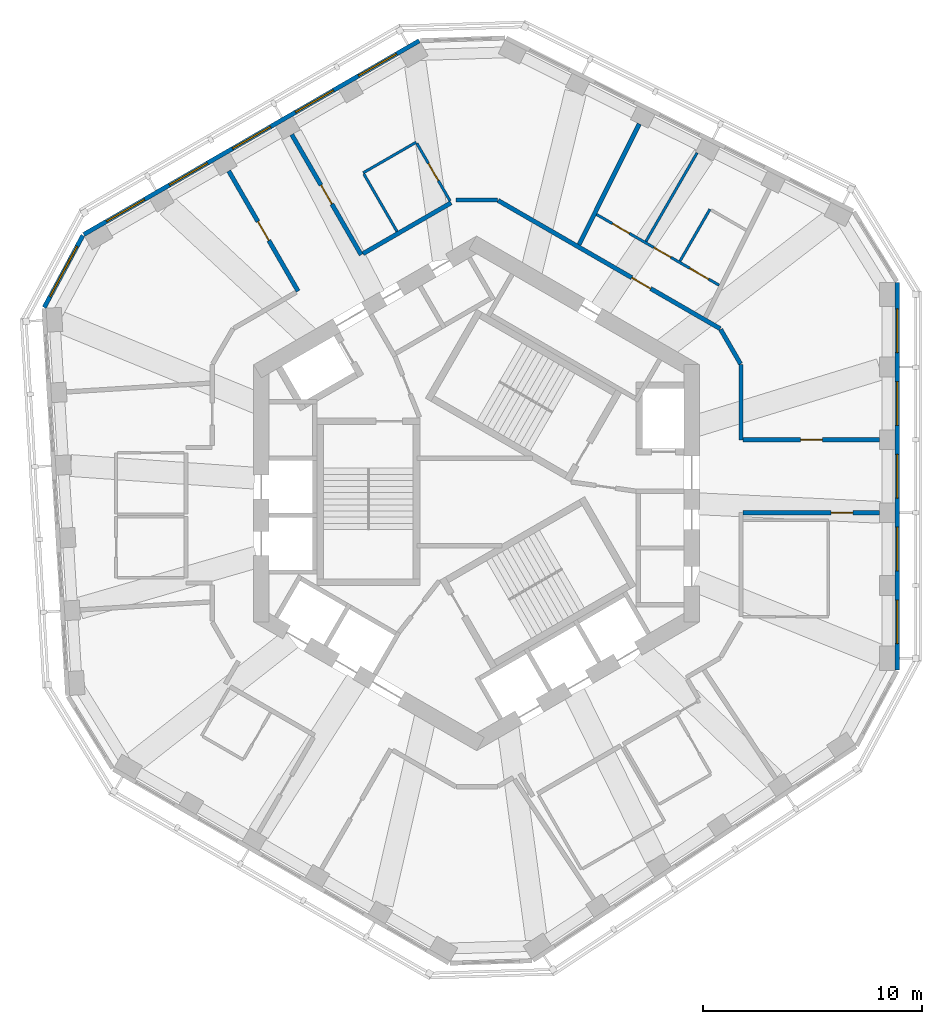
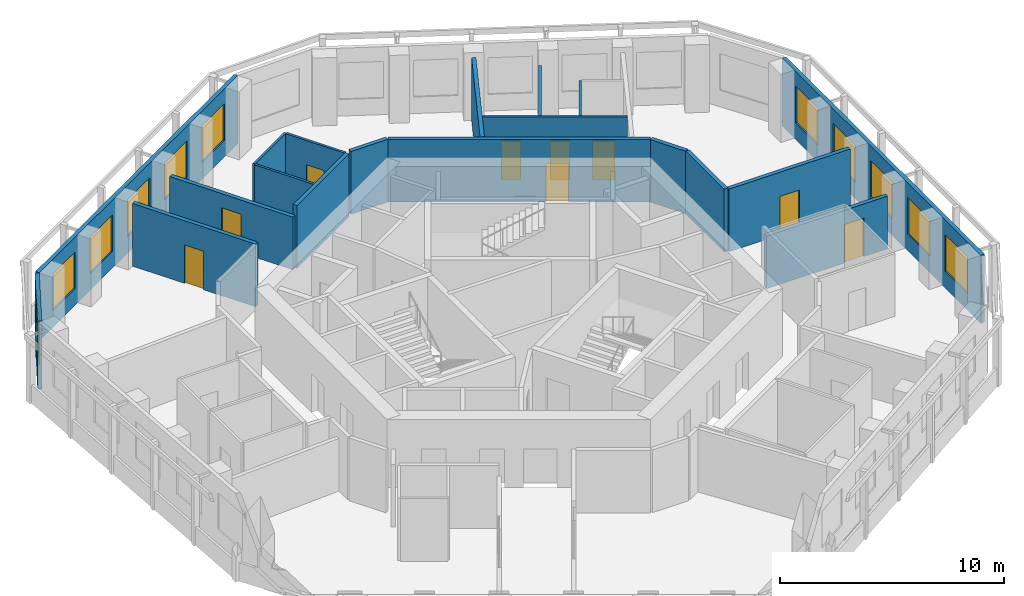
# One storey, part 7 of 11: 19 walls, 11 windows, 9 doors, 20 openings.
"""IFC4 building model written with IfcOpenShell, lengths in metres."""

from ifc_helpers import new_model, si_unit, direction, frame, frame_2d, origin, place, context, subcontext, project, spatial, rectangle, extrude, material, layer, layer_set, type_object, element, fill, save


model = new_model("IFC4")

# Units and contexts
model_context = context("Model", 3, precision=1e-05, world=origin(), true_north=direction((0.0, 1.0)))
body_context = subcontext(model_context, "Body", "Model", "MODEL_VIEW")
ifc_project = project(units=[si_unit("LENGTHUNIT", "METRE"), si_unit("AREAUNIT", "SQUARE_METRE"), si_unit("VOLUMEUNIT", "CUBIC_METRE"), si_unit("PLANEANGLEUNIT", "RADIAN"), si_unit("MASSUNIT", "GRAM", prefix="KILO")], contexts=[model_context])

# Site, building, storey
site_placement = place(None, origin())
site = spatial("IfcSite", under=ifc_project, at=site_placement, CompositionType="ELEMENT")
building_placement = place(site_placement, origin())
building = spatial("IfcBuilding", under=site, at=building_placement, Name="Vanh Sen Convention Tower", CompositionType="ELEMENT")
storey_placement = place(building_placement, frame((0.0, 0.0, 270.89990234375)))
storey = spatial("IfcBuildingStorey", under=building, at=storey_placement, Name="L67", CompositionType="ELEMENT", Elevation=270.89990234375)

# Walls
ifc_material_1 = material(Name="Moisture-resistant gypsum board on steel studs", Category="steel")
ifc_layer_1 = layer(ifc_material_1, 0.1201171875)
ifc_layer_set_1 = layer_set([ifc_layer_1], Name="Moisture-resistant gypsum board on steel studs")
wall_type_1 = type_object("IfcWallType", Name="Bathroom partition 120", PredefinedType="PARTITIONING", material=ifc_layer_set_1)
wall_1_placement = place(storey_placement, frame((-5.19140625, 14.669677734375, 0.0), z_axis=(0.0, 0.0, 1.0), x_axis=(0.866034573852, 0.49998411664, 0.0)))
element("IfcWall", 1, at=wall_1_placement, inside=storey, type_object=wall_type_1, Name="Bathroom partition 120", PredefinedType="PARTITIONING", context=body_context, shape_type="SweptSolid", body=[
    extrude(rectangle(XDim=2.7998046875, YDim=0.1201171875, at=frame_2d((1.39990234375, 0.0))), origin(), (0.0, 0.0, 1.0), 3.420166015625),
])
wall_2_placement = place(storey_placement, frame((-3.641357421875, 11.985107421875, 0.0), z_axis=(0.0, 0.0, 1.0), x_axis=(-0.500026023896, 0.86601037836, 0.0)))
element("IfcWall", 2, at=wall_2_placement, inside=storey, type_object=wall_type_1, Name="Bathroom partition 120", PredefinedType="PARTITIONING", context=body_context, shape_type="SweptSolid", body=[
    extrude(rectangle(XDim=3.039794921875, YDim=0.1201171875, at=frame_2d((1.52001953125, 0.0))), origin(), (0.0, 0.0, 1.0), 3.420166015625),
])

# Wall, opening, door
wall_3_placement = place(storey_placement, frame((-2.736572265625, 16.017578125, 0.0), z_axis=(0.0, 0.0, 1.0), x_axis=(0.500026023896, -0.86601037836, 0.0)))
wall_3 = element("IfcWall", 3, at=wall_3_placement, inside=storey, type_object=wall_type_1, Name="Bathroom partition 120", PredefinedType="PARTITIONING", context=body_context, shape_type="SweptSolid", body=[
    extrude(rectangle(XDim=3.039794921875, YDim=0.1201171875, at=frame_2d((1.52001953125, 0.0))), origin(), (0.0, 0.0, 1.0), 3.420166015625),
])
opening_1_placement = place(wall_3_placement, frame((1.06982421875, 0.0, 0.0)))
opening_1 = element("IfcOpeningElement", 4, at=opening_1_placement, cuts=wall_3, Name="Opening D67107", PredefinedType="OPENING", context=body_context, shape_type="SweptSolid", body=[
    extrude(rectangle(XDim=0.89990234375, YDim=2.10009765625, at=frame_2d((0.449951171875, 1.050048828125))), frame((0.0, 0.070068359375, 0.0), z_axis=(0.0, -1.0, 0.0), x_axis=(1.0, 0.0, 0.0)), (0.0, 0.0, 1.0), 0.14013671875),
])
ifc_material_2 = material(Name="Laminate door in steel frame", Category="steel")
door_type_1 = type_object("IfcDoorType", Name="Room internal door 900", OperationType="SINGLE_SWING_LEFT", PredefinedType="DOOR", material=ifc_material_2)
door_1_placement = place(opening_1_placement, origin())
door_1 = element("IfcDoor", 5, at=door_1_placement, inside=storey, type_object=door_type_1, Name="Internal room door D67107", OperationType="SINGLE_SWING_LEFT", OverallHeight=2.10009765625, OverallWidth=0.89990234375, PredefinedType="DOOR", context=body_context, shape_type="SweptSolid", body=[
    extrude(rectangle(XDim=0.89990234375, YDim=2.10009765625, at=frame_2d((0.449951171875, 1.050048828125))), frame((0.0, 0.02490234375, 0.0), z_axis=(0.0, -1.0, 0.0), x_axis=(1.0, 0.0, 0.0)), (0.0, 0.0, 1.0), 0.050048828125),
])
fill(opening_1, door_1)

# Walls
wall_4_placement = place(storey_placement, frame((10.0908203125, 15.5849609375, 0.0), z_axis=(0.0, 0.0, 1.0), x_axis=(-0.499969186147, -0.86604319344, 0.0)))
element("IfcWall", 6, at=wall_4_placement, inside=storey, type_object=wall_type_1, Name="Bathroom partition 120", PredefinedType="PARTITIONING", context=body_context, shape_type="SweptSolid", body=[
    extrude(rectangle(XDim=4.682373046875, YDim=0.1201171875, at=frame_2d((2.34130859375, 0.0))), origin(), (0.0, 0.0, 1.0), 2.8701171875),
])
wall_5_placement = place(storey_placement, frame((10.6787109375, 13.002685546875, 0.0), z_axis=(0.0, 0.0, 1.0), x_axis=(-0.500048966069, -0.865997131366, 0.0)))
element("IfcWall", 7, at=wall_5_placement, inside=storey, type_object=wall_type_1, Name="Bathroom partition 120", PredefinedType="PARTITIONING", context=body_context, shape_type="SweptSolid", body=[
    extrude(rectangle(XDim=2.739990234375, YDim=0.1201171875, at=frame_2d((1.3701171875, 0.0))), origin(), (0.0, 0.0, 1.0), 3.420166015625),
])

# Wall, openings, doors
wall_6_placement = place(storey_placement, frame((11.097412109375, 9.52783203125, 0.0), z_axis=(0.0, 0.0, 1.0), x_axis=(-0.866039938485, 0.499974824316, 0.0)))
wall_6 = element("IfcWall", 8, at=wall_6_placement, inside=storey, type_object=wall_type_1, Name="Bathroom partition 120", PredefinedType="PARTITIONING", context=body_context, shape_type="SweptSolid", body=[
    extrude(rectangle(XDim=6.475830078125, YDim=0.1201171875, at=frame_2d((3.23779296875, 0.0))), origin(), (0.0, 0.0, 1.0), 3.420166015625),
])
opening_2_placement = place(wall_6_placement, frame((0.550048828125, 0.0, 0.0)))
opening_2 = element("IfcOpeningElement", 9, at=opening_2_placement, cuts=wall_6, Name="Opening D67103", PredefinedType="OPENING", context=body_context, shape_type="SweptSolid", body=[
    extrude(rectangle(XDim=1.0, YDim=2.10009765625, at=frame_2d((0.5, 1.050048828125))), frame((0.0, 0.070068359375, 0.0), z_axis=(0.0, -1.0, 0.0), x_axis=(1.0, 0.0, 0.0)), (0.0, 0.0, 1.0), 0.14013671875),
])
opening_3_placement = place(wall_6_placement, frame((2.550048828125, 0.0, 0.0)))
opening_3 = element("IfcOpeningElement", 10, at=opening_3_placement, cuts=wall_6, Name="Opening D67104", PredefinedType="OPENING", context=body_context, shape_type="SweptSolid", body=[
    extrude(rectangle(XDim=0.89990234375, YDim=2.10009765625, at=frame_2d((0.449951171875, 1.050048828125))), frame((0.0, 0.070068359375, 0.0), z_axis=(0.0, -1.0, 0.0), x_axis=(1.0, 0.0, 0.0)), (0.0, 0.0, 1.0), 0.14013671875),
])
opening_4_placement = place(wall_6_placement, frame((4.73779296875, 0.0, 0.0)))
opening_4 = element("IfcOpeningElement", 11, at=opening_4_placement, cuts=wall_6, Name="Opening D67105", PredefinedType="OPENING", context=body_context, shape_type="SweptSolid", body=[
    extrude(rectangle(XDim=0.89990234375, YDim=2.10009765625, at=frame_2d((0.449951171875, 1.050048828125))), frame((0.0, 0.070068359375, 0.0), z_axis=(0.0, -1.0, 0.0), x_axis=(1.0, 0.0, 0.0)), (0.0, 0.0, 1.0), 0.14013671875),
])
door_type_2 = type_object("IfcDoorType", Name="Accessible WC door 1000", OperationType="SINGLE_SWING_LEFT", PredefinedType="DOOR", material=ifc_material_2)
door_2_placement = place(opening_2_placement, origin())
door_2 = element("IfcDoor", 12, at=door_2_placement, inside=storey, type_object=door_type_2, Name="Accessible WC door D67103", OperationType="SINGLE_SWING_LEFT", OverallHeight=2.10009765625, OverallWidth=1.0, PredefinedType="DOOR", context=body_context, shape_type="SweptSolid", body=[
    extrude(rectangle(XDim=1.0, YDim=2.10009765625, at=frame_2d((0.5, 1.050048828125))), frame((0.0, 0.02490234375, 0.0), z_axis=(0.0, -1.0, 0.0), x_axis=(1.0, 0.0, 0.0)), (0.0, 0.0, 1.0), 0.050048828125),
])
fill(opening_2, door_2)
door_3_placement = place(opening_3_placement, origin())
door_3 = element("IfcDoor", 13, at=door_3_placement, inside=storey, type_object=door_type_1, Name="Internal room door D67104", OperationType="SINGLE_SWING_LEFT", OverallHeight=2.10009765625, OverallWidth=0.89990234375, PredefinedType="DOOR", context=body_context, shape_type="SweptSolid", body=[
    extrude(rectangle(XDim=0.89990234375, YDim=2.10009765625, at=frame_2d((0.449951171875, 1.050048828125))), frame((0.0, 0.02490234375, 0.0), z_axis=(0.0, -1.0, 0.0), x_axis=(1.0, 0.0, 0.0)), (0.0, 0.0, 1.0), 0.050048828125),
])
fill(opening_3, door_3)
door_4_placement = place(opening_4_placement, origin())
door_4 = element("IfcDoor", 14, at=door_4_placement, inside=storey, type_object=door_type_1, Name="Internal room door D67105", OperationType="SINGLE_SWING_LEFT", OverallHeight=2.10009765625, OverallWidth=0.89990234375, PredefinedType="DOOR", context=body_context, shape_type="SweptSolid", body=[
    extrude(rectangle(XDim=0.89990234375, YDim=2.10009765625, at=frame_2d((0.449951171875, 1.050048828125))), frame((0.0, 0.02490234375, 0.0), z_axis=(0.0, -1.0, 0.0), x_axis=(1.0, 0.0, 0.0)), (0.0, 0.0, 1.0), 0.050048828125),
])
fill(opening_4, door_4)

# Wall, opening, door
ifc_material_3 = material(Name="Gypsum board on steel studs with mineral wool", Category="steel")
ifc_layer_2 = layer(ifc_material_3, 0.199951171875)
ifc_layer_set_2 = layer_set([ifc_layer_2], Name="Gypsum board on steel studs with mineral wool")
wall_type_2 = type_object("IfcWallType", Name="Corridor partition wall 200", PredefinedType="PARTITIONING", material=ifc_layer_set_2)
wall_7_placement = place(storey_placement, frame((-11.34521484375, 14.754150390625, 0.0), z_axis=(0.0, 0.0, 1.0), x_axis=(0.500005339912, -0.866022320763, 0.0)))
wall_7 = element("IfcWall", 15, at=wall_7_placement, inside=storey, type_object=wall_type_2, Name="Corridor partition wall 200", PredefinedType="PARTITIONING", context=body_context, shape_type="SweptSolid", body=[
    extrude(rectangle(XDim=6.35009765625, YDim=0.199951171875, at=frame_2d((3.175048828125, 0.0))), origin(), (0.0, 0.0, 1.0), 3.420166015625),
])
opening_5_placement = place(wall_7_placement, frame((2.675048828125, 0.0, 0.0)))
opening_5 = element("IfcOpeningElement", 16, at=opening_5_placement, cuts=wall_7, Name="Opening D67108", PredefinedType="OPENING", context=body_context, shape_type="SweptSolid", body=[
    extrude(rectangle(XDim=1.0, YDim=2.10009765625, at=frame_2d((0.5, 1.050048828125))), frame((0.0, 0.10986328125, 0.0), z_axis=(0.0, -1.0, 0.0), x_axis=(1.0, 0.0, 0.0)), (0.0, 0.0, 1.0), 0.219970703125),
])
ifc_material_4 = material(Name="Timber fire door in steel frame", Category="steel")
door_type_3 = type_object("IfcDoorType", Name="Floor room door 1000", OperationType="SINGLE_SWING_LEFT", PredefinedType="DOOR", material=ifc_material_4)
door_5_placement = place(opening_5_placement, origin())
door_5 = element("IfcDoor", 17, at=door_5_placement, inside=storey, type_object=door_type_3, Name="Meeting and amenity room door D67108", OperationType="SINGLE_SWING_LEFT", OverallHeight=2.10009765625, OverallWidth=1.0, PredefinedType="DOOR", context=body_context, shape_type="SweptSolid", body=[
    extrude(rectangle(XDim=1.0, YDim=2.10009765625, at=frame_2d((0.5, 1.050048828125))), frame((0.0, 0.02490234375, 0.0), z_axis=(0.0, -1.0, 0.0), x_axis=(1.0, 0.0, 0.0)), (0.0, 0.0, 1.0), 0.050048828125),
])
fill(opening_5, door_5)

wall_8_placement = place(storey_placement, frame((-8.4599609375, 16.419921875, 0.0), z_axis=(0.0, 0.0, 1.0), x_axis=(0.500005339912, -0.866022320763, 0.0)))
wall_8 = element("IfcWall", 18, at=wall_8_placement, inside=storey, type_object=wall_type_2, Name="Corridor partition wall 200", PredefinedType="PARTITIONING", context=body_context, shape_type="SweptSolid", body=[
    extrude(rectangle(XDim=6.35009765625, YDim=0.199951171875, at=frame_2d((3.175048828125, 0.0))), origin(), (0.0, 0.0, 1.0), 2.8701171875),
])
opening_6_placement = place(wall_8_placement, frame((2.675048828125, 0.0, 0.0)))
opening_6 = element("IfcOpeningElement", 19, at=opening_6_placement, cuts=wall_8, Name="Opening D67106", PredefinedType="OPENING", context=body_context, shape_type="SweptSolid", body=[
    extrude(rectangle(XDim=1.0, YDim=2.10009765625, at=frame_2d((0.5, 1.050048828125))), frame((0.0, 0.10986328125, 0.0), z_axis=(0.0, -1.0, 0.0), x_axis=(1.0, 0.0, 0.0)), (0.0, 0.0, 1.0), 0.219970703125),
])
ifc_material_5 = material(Name="Glazed fire door in steel frame", Category="steel")
door_type_4 = type_object("IfcDoorType", Name="Tenant entrance door 1000", OperationType="SINGLE_SWING_LEFT", PredefinedType="DOOR", material=ifc_material_5)
door_6_placement = place(opening_6_placement, origin())
door_6 = element("IfcDoor", 20, at=door_6_placement, inside=storey, type_object=door_type_4, Name="Tenant suite entrance door D67106", OperationType="SINGLE_SWING_LEFT", OverallHeight=2.10009765625, OverallWidth=1.0, PredefinedType="DOOR", context=body_context, shape_type="SweptSolid", body=[
    extrude(rectangle(XDim=1.0, YDim=2.10009765625, at=frame_2d((0.5, 1.050048828125))), frame((0.0, 0.02490234375, 0.0), z_axis=(0.0, -1.0, 0.0), x_axis=(1.0, 0.0, 0.0)), (0.0, 0.0, 1.0), 0.050048828125),
])
fill(opening_6, door_6)

# Walls
wall_9_placement = place(storey_placement, frame((-1.16650390625, 13.29833984375, 0.0), z_axis=(0.0, 0.0, 1.0), x_axis=(-0.866033631887, -0.499985748238, 0.0)))
element("IfcWall", 21, at=wall_9_placement, inside=storey, type_object=wall_type_2, Name="Corridor partition wall 200", PredefinedType="PARTITIONING", context=body_context, shape_type="SweptSolid", body=[
    extrude(rectangle(XDim=4.655517578125, YDim=0.199951171875, at=frame_2d((2.32763671875, 0.0))), origin(), (0.0, 0.0, 1.0), 3.420166015625),
])
wall_10_placement = place(storey_placement, frame((0.949951171875, 13.42333984375, 0.0), z_axis=(0.0, 0.0, 1.0), x_axis=(-1.0, 0.0, 0.0)))
element("IfcWall", 22, at=wall_10_placement, inside=storey, type_object=wall_type_2, Name="Corridor partition wall 200", PredefinedType="PARTITIONING", context=body_context, shape_type="SweptSolid", body=[
    extrude(rectangle(XDim=1.89990234375, YDim=0.199951171875, at=frame_2d((0.949951171875, 0.0))), origin(), (0.0, 0.0, 1.0), 3.420166015625),
])

# Wall, opening, door
wall_11_placement = place(storey_placement, frame((11.14990234375, 7.534423828125, 0.0), z_axis=(0.0, 0.0, 1.0), x_axis=(-0.866026603062, 0.499997922785, 0.0)))
wall_11 = element("IfcWall", 23, at=wall_11_placement, inside=storey, type_object=wall_type_2, Name="Corridor partition wall 200", PredefinedType="PARTITIONING", context=body_context, shape_type="SweptSolid", body=[
    extrude(rectangle(XDim=11.73779296875, YDim=0.199951171875, at=frame_2d((5.868896484375, 0.0))), origin(), (0.0, 0.0, 1.0), 3.420166015625),
])
opening_7_placement = place(wall_11_placement, frame((3.67626953125, 0.0, 0.0)))
opening_7 = element("IfcOpeningElement", 24, at=opening_7_placement, cuts=wall_11, Name="Opening D67102", PredefinedType="OPENING", context=body_context, shape_type="SweptSolid", body=[
    extrude(rectangle(XDim=1.0, YDim=2.10009765625, at=frame_2d((0.5, 1.050048828125))), frame((0.0, 0.10986328125, 0.0), z_axis=(0.0, -1.0, 0.0), x_axis=(1.0, 0.0, 0.0)), (0.0, 0.0, 1.0), 0.219970703125),
])
door_7_placement = place(opening_7_placement, origin())
door_7 = element("IfcDoor", 25, at=door_7_placement, inside=storey, type_object=door_type_3, Name="Meeting and amenity room door D67102", OperationType="SINGLE_SWING_LEFT", OverallHeight=2.10009765625, OverallWidth=1.0, PredefinedType="DOOR", context=body_context, shape_type="SweptSolid", body=[
    extrude(rectangle(XDim=1.0, YDim=2.10009765625, at=frame_2d((0.5, 1.050048828125))), frame((0.0, 0.02490234375, 0.0), z_axis=(0.0, -1.0, 0.0), x_axis=(1.0, 0.0, 0.0)), (0.0, 0.0, 1.0), 0.050048828125),
])
fill(opening_7, door_7)

# Walls
wall_12_placement = place(storey_placement, frame((12.080078125, 5.923583984375, 0.0), z_axis=(0.0, 0.0, 1.0), x_axis=(-0.500004960326, 0.86602253992, 0.0)))
element("IfcWall", 26, at=wall_12_placement, inside=storey, type_object=wall_type_2, Name="Corridor partition wall 200", PredefinedType="PARTITIONING", context=body_context, shape_type="SweptSolid", body=[
    extrude(rectangle(XDim=1.8203125, YDim=0.199951171875, at=frame_2d((0.91015625, 0.0))), origin(), (0.0, 0.0, 1.0), 3.420166015625),
])
wall_13_placement = place(storey_placement, frame((12.10009765625, 2.4482421875, 0.0), z_axis=(0.0, 0.0, 1.0), x_axis=(0.0, 1.0, 0.0)))
element("IfcWall", 27, at=wall_13_placement, inside=storey, type_object=wall_type_2, Name="Corridor partition wall 200", PredefinedType="PARTITIONING", context=body_context, shape_type="SweptSolid", body=[
    extrude(rectangle(XDim=3.440673828125, YDim=0.199951171875, at=frame_2d((1.72021484375, 0.0))), origin(), (0.0, 0.0, 1.0), 3.420166015625),
])

# Wall, opening, door
wall_14_placement = place(storey_placement, frame((12.199951171875, -0.88330078125, 0.0), z_axis=(0.0, 0.0, 1.0), x_axis=(1.0, 0.0, 0.0)))
wall_14 = element("IfcWall", 28, at=wall_14_placement, inside=storey, type_object=wall_type_2, Name="Corridor partition wall 200", PredefinedType="PARTITIONING", context=body_context, shape_type="SweptSolid", body=[
    extrude(rectangle(XDim=6.25, YDim=0.199951171875, at=frame_2d((3.125, 0.0))), origin(), (0.0, 0.0, 1.0), 2.8701171875),
])
opening_8_placement = place(wall_14_placement, frame((4.02490234375, 0.0, 0.0)))
opening_8 = element("IfcOpeningElement", 29, at=opening_8_placement, cuts=wall_14, Name="Opening D67118", PredefinedType="OPENING", context=body_context, shape_type="SweptSolid", body=[
    extrude(rectangle(XDim=1.0, YDim=2.10009765625, at=frame_2d((0.5, 1.050048828125))), frame((0.0, 0.10986328125, 0.0), z_axis=(0.0, -1.0, 0.0), x_axis=(1.0, 0.0, 0.0)), (0.0, 0.0, 1.0), 0.219970703125),
])
door_8_placement = place(opening_8_placement, origin())
door_8 = element("IfcDoor", 30, at=door_8_placement, inside=storey, type_object=door_type_4, Name="Tenant suite entrance door D67118", OperationType="SINGLE_SWING_LEFT", OverallHeight=2.10009765625, OverallWidth=1.0, PredefinedType="DOOR", context=body_context, shape_type="SweptSolid", body=[
    extrude(rectangle(XDim=1.0, YDim=2.10009765625, at=frame_2d((0.5, 1.050048828125))), frame((0.0, 0.02490234375, 0.0), z_axis=(0.0, -1.0, 0.0), x_axis=(1.0, 0.0, 0.0)), (0.0, 0.0, 1.0), 0.050048828125),
])
fill(opening_8, door_8)

wall_15_placement = place(storey_placement, frame((18.449951171875, 2.4482421875, 0.0), z_axis=(0.0, 0.0, 1.0), x_axis=(-1.0, 0.0, 0.0)))
wall_15 = element("IfcWall", 31, at=wall_15_placement, inside=storey, type_object=wall_type_2, Name="Corridor partition wall 200", PredefinedType="PARTITIONING", context=body_context, shape_type="SweptSolid", body=[
    extrude(rectangle(XDim=6.25, YDim=0.199951171875, at=frame_2d((3.125, 0.0))), origin(), (0.0, 0.0, 1.0), 3.420166015625),
])
opening_9_placement = place(wall_15_placement, frame((2.625, 0.0, 0.0)))
opening_9 = element("IfcOpeningElement", 32, at=opening_9_placement, cuts=wall_15, Name="Opening D67101", PredefinedType="OPENING", context=body_context, shape_type="SweptSolid", body=[
    extrude(rectangle(XDim=1.0, YDim=2.10009765625, at=frame_2d((0.5, 1.050048828125))), frame((0.0, 0.10986328125, 0.0), z_axis=(0.0, -1.0, 0.0), x_axis=(1.0, 0.0, 0.0)), (0.0, 0.0, 1.0), 0.219970703125),
])
door_9_placement = place(opening_9_placement, origin())
door_9 = element("IfcDoor", 33, at=door_9_placement, inside=storey, type_object=door_type_3, Name="Meeting and amenity room door D67101", OperationType="SINGLE_SWING_LEFT", OverallHeight=2.10009765625, OverallWidth=1.0, PredefinedType="DOOR", context=body_context, shape_type="SweptSolid", body=[
    extrude(rectangle(XDim=1.0, YDim=2.10009765625, at=frame_2d((0.5, 1.050048828125))), frame((0.0, 0.02490234375, 0.0), z_axis=(0.0, -1.0, 0.0), x_axis=(1.0, 0.0, 0.0)), (0.0, 0.0, 1.0), 0.050048828125),
])
fill(opening_9, door_9)

# Wall, openings, windows
ifc_material_6 = material(Name="Insulated lightweight infill wall")
ifc_layer_3 = layer(ifc_material_6, 0.199951171875)
ifc_layer_set_3 = layer_set([ifc_layer_3], Name="Insulated lightweight infill wall")
wall_type_3 = type_object("IfcWallType", Name="External wall 200", PredefinedType="STANDARD", material=ifc_layer_set_3)
wall_16_placement = place(storey_placement, frame((19.25, -8.083984375, 0.0), z_axis=(0.0, 0.0, 1.0), x_axis=(0.0, 1.0, 0.0)))
wall_16 = element("IfcWall", 34, at=wall_16_placement, inside=storey, type_object=wall_type_3, Name="External wall E L67", PredefinedType="STANDARD", context=body_context, shape_type="SweptSolid", body=[
    extrude(rectangle(XDim=17.731201171875, YDim=0.199951171875, at=frame_2d((8.86572265625, 0.0))), origin(), (0.0, 0.0, 1.0), 3.7001953125),
])
opening_10_placement = place(wall_16_placement, frame((1.203125, 0.0, 0.89990234375)))
opening_10 = element("IfcOpeningElement", 35, at=opening_10_placement, cuts=wall_16, Name="Opening WO5-E1", PredefinedType="OPENING", context=body_context, shape_type="SweptSolid", body=[
    extrude(rectangle(XDim=2.0, YDim=2.0, at=frame_2d((1.0, 1.0))), frame((0.0, 0.10986328125, 0.0), z_axis=(0.0, -1.0, 0.0), x_axis=(1.0, 0.0, 0.0)), (0.0, 0.0, 1.0), 0.219970703125),
])
opening_11_placement = place(wall_16_placement, frame((4.534912109375, 0.0, 0.89990234375)))
opening_11 = element("IfcOpeningElement", 36, at=opening_11_placement, cuts=wall_16, Name="Opening WO5-E2", PredefinedType="OPENING", context=body_context, shape_type="SweptSolid", body=[
    extrude(rectangle(XDim=2.0, YDim=2.0, at=frame_2d((1.0, 1.0))), frame((0.0, 0.10986328125, 0.0), z_axis=(0.0, -1.0, 0.0), x_axis=(1.0, 0.0, 0.0)), (0.0, 0.0, 1.0), 0.219970703125),
])
opening_12_placement = place(wall_16_placement, frame((7.866455078125, 0.0, 0.89990234375)))
opening_12 = element("IfcOpeningElement", 37, at=opening_12_placement, cuts=wall_16, Name="Opening WO5-E3", PredefinedType="OPENING", context=body_context, shape_type="SweptSolid", body=[
    extrude(rectangle(XDim=2.0, YDim=2.0, at=frame_2d((1.0, 1.0))), frame((0.0, 0.10986328125, 0.0), z_axis=(0.0, -1.0, 0.0), x_axis=(1.0, 0.0, 0.0)), (0.0, 0.0, 1.0), 0.219970703125),
])
opening_13_placement = place(wall_16_placement, frame((11.197998046875, 0.0, 0.89990234375)))
opening_13 = element("IfcOpeningElement", 38, at=opening_13_placement, cuts=wall_16, Name="Opening WO5-E4", PredefinedType="OPENING", context=body_context, shape_type="SweptSolid", body=[
    extrude(rectangle(XDim=2.0, YDim=2.0, at=frame_2d((1.0, 1.0))), frame((0.0, 0.10986328125, 0.0), z_axis=(0.0, -1.0, 0.0), x_axis=(1.0, 0.0, 0.0)), (0.0, 0.0, 1.0), 0.219970703125),
])
opening_14_placement = place(wall_16_placement, frame((14.52978515625, 0.0, 0.89990234375)))
opening_14 = element("IfcOpeningElement", 39, at=opening_14_placement, cuts=wall_16, Name="Opening WO5-E5", PredefinedType="OPENING", context=body_context, shape_type="SweptSolid", body=[
    extrude(rectangle(XDim=2.0, YDim=2.0, at=frame_2d((1.0, 1.0))), frame((0.0, 0.10986328125, 0.0), z_axis=(0.0, -1.0, 0.0), x_axis=(1.0, 0.0, 0.0)), (0.0, 0.0, 1.0), 0.219970703125),
])
ifc_material_7 = material(Name="Aluminium frame with clear low-emissivity glass", Category="aluminium")
window_type_1 = type_object("IfcWindowType", Name="Office window 2000 x 2000", PartitioningType="SINGLE_PANEL", PredefinedType="WINDOW", material=ifc_material_7)
window_1_placement = place(opening_10_placement, origin())
window_1 = element("IfcWindow", 40, at=window_1_placement, inside=storey, type_object=window_type_1, Name="Window WO5-E1", OverallHeight=2.0, OverallWidth=2.0, PartitioningType="SINGLE_PANEL", PredefinedType="WINDOW", context=body_context, shape_type="SweptSolid", body=[
    extrude(rectangle(XDim=2.0, YDim=2.0, at=frame_2d((1.0, 1.0))), frame((0.0, 0.030029296875, 0.0), z_axis=(0.0, -1.0, 0.0), x_axis=(1.0, 0.0, 0.0)), (0.0, 0.0, 1.0), 0.06005859375),
])
fill(opening_10, window_1)
window_2_placement = place(opening_11_placement, origin())
window_2 = element("IfcWindow", 41, at=window_2_placement, inside=storey, type_object=window_type_1, Name="Window WO5-E2", OverallHeight=2.0, OverallWidth=2.0, PartitioningType="SINGLE_PANEL", PredefinedType="WINDOW", context=body_context, shape_type="SweptSolid", body=[
    extrude(rectangle(XDim=2.0, YDim=2.0, at=frame_2d((1.0, 1.0))), frame((0.0, 0.030029296875, 0.0), z_axis=(0.0, -1.0, 0.0), x_axis=(1.0, 0.0, 0.0)), (0.0, 0.0, 1.0), 0.06005859375),
])
fill(opening_11, window_2)
window_3_placement = place(opening_12_placement, origin())
window_3 = element("IfcWindow", 42, at=window_3_placement, inside=storey, type_object=window_type_1, Name="Window WO5-E3", OverallHeight=2.0, OverallWidth=2.0, PartitioningType="SINGLE_PANEL", PredefinedType="WINDOW", context=body_context, shape_type="SweptSolid", body=[
    extrude(rectangle(XDim=2.0, YDim=2.0, at=frame_2d((1.0, 1.0))), frame((0.0, 0.030029296875, 0.0), z_axis=(0.0, -1.0, 0.0), x_axis=(1.0, 0.0, 0.0)), (0.0, 0.0, 1.0), 0.06005859375),
])
fill(opening_12, window_3)
window_4_placement = place(opening_13_placement, origin())
window_4 = element("IfcWindow", 43, at=window_4_placement, inside=storey, type_object=window_type_1, Name="Window WO5-E4", OverallHeight=2.0, OverallWidth=2.0, PartitioningType="SINGLE_PANEL", PredefinedType="WINDOW", context=body_context, shape_type="SweptSolid", body=[
    extrude(rectangle(XDim=2.0, YDim=2.0, at=frame_2d((1.0, 1.0))), frame((0.0, 0.030029296875, 0.0), z_axis=(0.0, -1.0, 0.0), x_axis=(1.0, 0.0, 0.0)), (0.0, 0.0, 1.0), 0.06005859375),
])
fill(opening_13, window_4)
window_5_placement = place(opening_14_placement, origin())
window_5 = element("IfcWindow", 44, at=window_5_placement, inside=storey, type_object=window_type_1, Name="Window WO5-E5", OverallHeight=2.0, OverallWidth=2.0, PartitioningType="SINGLE_PANEL", PredefinedType="WINDOW", context=body_context, shape_type="SweptSolid", body=[
    extrude(rectangle(XDim=2.0, YDim=2.0, at=frame_2d((1.0, 1.0))), frame((0.0, 0.030029296875, 0.0), z_axis=(0.0, -1.0, 0.0), x_axis=(1.0, 0.0, 0.0)), (0.0, 0.0, 1.0), 0.06005859375),
])
fill(opening_14, window_5)

wall_17_placement = place(storey_placement, frame((-2.623779296875, 20.713134765625, 0.0), z_axis=(0.0, 0.0, 1.0), x_axis=(-0.866026460444, -0.499998169808, 0.0)))
wall_17 = element("IfcWall", 45, at=wall_17_placement, inside=storey, type_object=wall_type_3, Name="External wall NW L67", PredefinedType="STANDARD", context=body_context, shape_type="SweptSolid", body=[
    extrude(rectangle(XDim=17.7314453125, YDim=0.199951171875, at=frame_2d((8.86572265625, 0.0))), origin(), (0.0, 0.0, 1.0), 3.7001953125),
])
opening_15_placement = place(wall_17_placement, frame((1.203125, 0.0, 0.89990234375)))
opening_15 = element("IfcOpeningElement", 46, at=opening_15_placement, cuts=wall_17, Name="Opening WO5-NW1", PredefinedType="OPENING", context=body_context, shape_type="SweptSolid", body=[
    extrude(rectangle(XDim=2.0, YDim=2.0, at=frame_2d((1.0, 1.0))), frame((0.0, 0.10986328125, 0.0), z_axis=(0.0, -1.0, 0.0), x_axis=(1.0, 0.0, 0.0)), (0.0, 0.0, 1.0), 0.219970703125),
])
opening_16_placement = place(wall_17_placement, frame((4.534912109375, 0.0, 0.89990234375)))
opening_16 = element("IfcOpeningElement", 47, at=opening_16_placement, cuts=wall_17, Name="Opening WO5-NW2", PredefinedType="OPENING", context=body_context, shape_type="SweptSolid", body=[
    extrude(rectangle(XDim=2.0, YDim=2.0, at=frame_2d((1.0, 1.0))), frame((0.0, 0.10986328125, 0.0), z_axis=(0.0, -1.0, 0.0), x_axis=(1.0, 0.0, 0.0)), (0.0, 0.0, 1.0), 0.219970703125),
])
opening_17_placement = place(wall_17_placement, frame((7.86669921875, 0.0, 0.89990234375)))
opening_17 = element("IfcOpeningElement", 48, at=opening_17_placement, cuts=wall_17, Name="Opening WO5-NW3", PredefinedType="OPENING", context=body_context, shape_type="SweptSolid", body=[
    extrude(rectangle(XDim=2.0, YDim=2.0, at=frame_2d((1.0, 1.0))), frame((0.0, 0.10986328125, 0.0), z_axis=(0.0, -1.0, 0.0), x_axis=(1.0, 0.0, 0.0)), (0.0, 0.0, 1.0), 0.219970703125),
])
opening_18_placement = place(wall_17_placement, frame((11.1982421875, 0.0, 0.89990234375)))
opening_18 = element("IfcOpeningElement", 49, at=opening_18_placement, cuts=wall_17, Name="Opening WO5-NW4", PredefinedType="OPENING", context=body_context, shape_type="SweptSolid", body=[
    extrude(rectangle(XDim=2.0, YDim=2.0, at=frame_2d((1.0, 1.0))), frame((0.0, 0.10986328125, 0.0), z_axis=(0.0, -1.0, 0.0), x_axis=(1.0, 0.0, 0.0)), (0.0, 0.0, 1.0), 0.219970703125),
])
opening_19_placement = place(wall_17_placement, frame((14.52978515625, 0.0, 0.89990234375)))
opening_19 = element("IfcOpeningElement", 50, at=opening_19_placement, cuts=wall_17, Name="Opening WO5-NW5", PredefinedType="OPENING", context=body_context, shape_type="SweptSolid", body=[
    extrude(rectangle(XDim=2.0, YDim=2.0, at=frame_2d((1.0, 1.0))), frame((0.0, 0.10986328125, 0.0), z_axis=(0.0, -1.0, 0.0), x_axis=(1.0, 0.0, 0.0)), (0.0, 0.0, 1.0), 0.219970703125),
])
window_6_placement = place(opening_15_placement, origin())
window_6 = element("IfcWindow", 51, at=window_6_placement, inside=storey, type_object=window_type_1, Name="Window WO5-NW1", OverallHeight=2.0, OverallWidth=2.0, PartitioningType="SINGLE_PANEL", PredefinedType="WINDOW", context=body_context, shape_type="SweptSolid", body=[
    extrude(rectangle(XDim=2.0, YDim=2.0, at=frame_2d((1.0, 1.0))), frame((0.0, 0.030029296875, 0.0), z_axis=(0.0, -1.0, 0.0), x_axis=(1.0, 0.0, 0.0)), (0.0, 0.0, 1.0), 0.06005859375),
])
fill(opening_15, window_6)
window_7_placement = place(opening_16_placement, origin())
window_7 = element("IfcWindow", 52, at=window_7_placement, inside=storey, type_object=window_type_1, Name="Window WO5-NW2", OverallHeight=2.0, OverallWidth=2.0, PartitioningType="SINGLE_PANEL", PredefinedType="WINDOW", context=body_context, shape_type="SweptSolid", body=[
    extrude(rectangle(XDim=2.0, YDim=2.0, at=frame_2d((1.0, 1.0))), frame((0.0, 0.030029296875, 0.0), z_axis=(0.0, -1.0, 0.0), x_axis=(1.0, 0.0, 0.0)), (0.0, 0.0, 1.0), 0.06005859375),
])
fill(opening_16, window_7)
window_8_placement = place(opening_17_placement, origin())
window_8 = element("IfcWindow", 53, at=window_8_placement, inside=storey, type_object=window_type_1, Name="Window WO5-NW3", OverallHeight=2.0, OverallWidth=2.0, PartitioningType="SINGLE_PANEL", PredefinedType="WINDOW", context=body_context, shape_type="SweptSolid", body=[
    extrude(rectangle(XDim=2.0, YDim=2.0, at=frame_2d((1.0, 1.0))), frame((0.0, 0.030029296875, 0.0), z_axis=(0.0, -1.0, 0.0), x_axis=(1.0, 0.0, 0.0)), (0.0, 0.0, 1.0), 0.06005859375),
])
fill(opening_17, window_8)
window_9_placement = place(opening_18_placement, origin())
window_9 = element("IfcWindow", 54, at=window_9_placement, inside=storey, type_object=window_type_1, Name="Window WO5-NW4", OverallHeight=2.0, OverallWidth=2.0, PartitioningType="SINGLE_PANEL", PredefinedType="WINDOW", context=body_context, shape_type="SweptSolid", body=[
    extrude(rectangle(XDim=2.0, YDim=2.0, at=frame_2d((1.0, 1.0))), frame((0.0, 0.030029296875, 0.0), z_axis=(0.0, -1.0, 0.0), x_axis=(1.0, 0.0, 0.0)), (0.0, 0.0, 1.0), 0.06005859375),
])
fill(opening_18, window_9)
window_10_placement = place(opening_19_placement, origin())
window_10 = element("IfcWindow", 55, at=window_10_placement, inside=storey, type_object=window_type_1, Name="Window WO5-NW5", OverallHeight=2.0, OverallWidth=2.0, PartitioningType="SINGLE_PANEL", PredefinedType="WINDOW", context=body_context, shape_type="SweptSolid", body=[
    extrude(rectangle(XDim=2.0, YDim=2.0, at=frame_2d((1.0, 1.0))), frame((0.0, 0.030029296875, 0.0), z_axis=(0.0, -1.0, 0.0), x_axis=(1.0, 0.0, 0.0)), (0.0, 0.0, 1.0), 0.06005859375),
])
fill(opening_19, window_10)

# Wall, opening, window
wall_18_placement = place(storey_placement, frame((-18.017822265625, 11.80810546875, 0.0), z_axis=(0.0, 0.0, 1.0), x_axis=(-0.473318619185, -0.880891301315, 0.0)))
wall_18 = element("IfcWall", 56, at=wall_18_placement, inside=storey, type_object=wall_type_3, Name="External wall CH3 L67", PredefinedType="STANDARD", context=body_context, shape_type="SweptSolid", body=[
    extrude(rectangle(XDim=3.746826171875, YDim=0.199951171875, at=frame_2d((1.87353515625, 0.0))), origin(), (0.0, 0.0, 1.0), 3.7001953125),
])
opening_20_placement = place(wall_18_placement, frame((0.5732421875, 0.0, 0.89990234375)))
opening_20 = element("IfcOpeningElement", 57, at=opening_20_placement, cuts=wall_18, Name="Opening WO6-CH31", PredefinedType="OPENING", context=body_context, shape_type="SweptSolid", body=[
    extrude(rectangle(XDim=2.60009765625, YDim=2.0, at=frame_2d((1.300048828125, 1.0))), frame((0.0, 0.10986328125, 0.0), z_axis=(0.0, -1.0, 0.0), x_axis=(1.0, 0.0, 0.0)), (0.0, 0.0, 1.0), 0.219970703125),
])
window_type_2 = type_object("IfcWindowType", Name="Office window 2600 x 2000", PartitioningType="SINGLE_PANEL", PredefinedType="WINDOW", material=ifc_material_7)
window_11_placement = place(opening_20_placement, origin())
window_11 = element("IfcWindow", 58, at=window_11_placement, inside=storey, type_object=window_type_2, Name="Window WO6-CH31", OverallHeight=2.0, OverallWidth=2.60009765625, PartitioningType="SINGLE_PANEL", PredefinedType="WINDOW", context=body_context, shape_type="SweptSolid", body=[
    extrude(rectangle(XDim=2.60009765625, YDim=2.0, at=frame_2d((1.300048828125, 1.0))), frame((0.0, 0.030029296875, 0.0), z_axis=(0.0, -1.0, 0.0), x_axis=(1.0, 0.0, 0.0)), (0.0, 0.0, 1.0), 0.06005859375),
])
fill(opening_20, window_11)

# Wall
ifc_layer_4 = layer(ifc_material_3, 0.199951171875)
ifc_layer_set_4 = layer_set([ifc_layer_4], Name="Gypsum board on steel studs with mineral wool")
wall_type_4 = type_object("IfcWallType", Name="Tenant suite wall 200", PredefinedType="PARTITIONING", material=ifc_layer_set_4)
wall_19_placement = place(storey_placement, frame((7.441650390625, 16.90576171875, 0.0), z_axis=(0.0, 0.0, 1.0), x_axis=(-0.446183401262, -0.894941546939, 0.0)))
element("IfcWall", 59, at=wall_19_placement, inside=storey, type_object=wall_type_4, Name="Tenant suite wall 200", PredefinedType="PARTITIONING", context=body_context, shape_type="SweptSolid", body=[
    extrude(rectangle(XDim=6.163330078125, YDim=0.199951171875, at=frame_2d((3.08154296875, 0.0))), origin(), (0.0, 0.0, 1.0), 3.420166015625),
])

save(model, "model.ifc")
